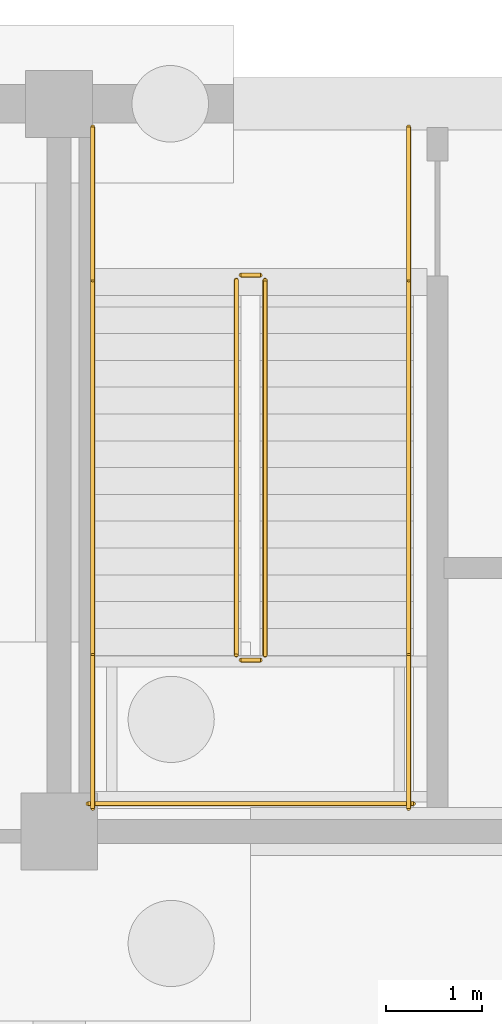
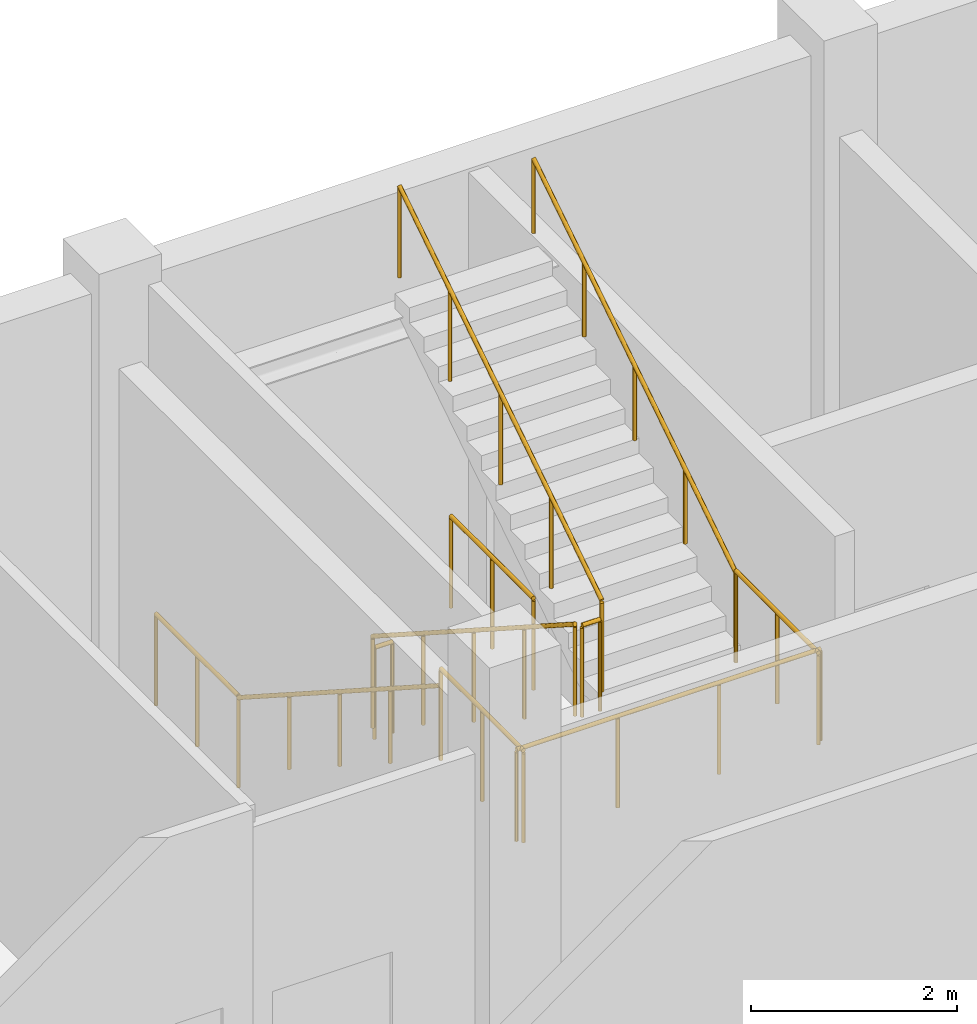
# One storey, part 44 of 44: 11 railings.
"""IFC4 building model written with IfcOpenShell, lengths in metres."""

from ifc_helpers import new_model, si_unit, direction, frame, origin, origin_2d, place, context, subcontext, project, spatial, circle, extrude, material, type_object, element, save


model = new_model("IFC4")

# Units and contexts
model_context = context("Model", 3, precision=1e-05, world=origin(), true_north=direction((0.0, 1.0)))
body_context = subcontext(model_context, "Body", "Model", "MODEL_VIEW")
ifc_project = project(units=[si_unit("LENGTHUNIT", "METRE"), si_unit("AREAUNIT", "SQUARE_METRE"), si_unit("VOLUMEUNIT", "CUBIC_METRE"), si_unit("PLANEANGLEUNIT", "RADIAN"), si_unit("MASSUNIT", "GRAM", prefix="KILO")], contexts=[model_context])

# Site, building, storey
site_placement = place(None, origin())
site = spatial("IfcSite", under=ifc_project, at=site_placement, CompositionType="ELEMENT")
building_placement = place(site_placement, origin())
building = spatial("IfcBuilding", under=site, at=building_placement, Name="Khelvaren Railside Concert Hall", CompositionType="ELEMENT")
storey_placement = place(building_placement, frame((0.0, 0.0, -5.39990234375)))
storey = spatial("IfcBuildingStorey", under=building, at=storey_placement, Name="B1", CompositionType="ELEMENT", Elevation=-5.39990234375)

# Railings
ifc_material_1 = material(Name="Painted architectural steel", Category="steel")
railing_type_1 = type_object("IfcRailingType", Name="GRD86", PredefinedType="GUARDRAIL", material=ifc_material_1)
railing_1_placement = place(storey_placement, frame((169.85009765625, 112.159912109375, 0.179931640625)))
element("IfcRailing", 1, at=railing_1_placement, inside=storey, type_object=railing_type_1, Name="B1 ST-10 stair guard 1", PredefinedType="GUARDRAIL", context=body_context, shape_type="SweptSolid", body=[
    extrude(circle(Radius=0.02392578125, at=origin_2d()), frame((0.0, 0.0, 1.076171875), z_axis=(0.0, -0.841171666519, 0.540768182723), x_axis=(1.0, 0.0, 0.0)), (0.0, 0.0, 1.0), 4.66015625),
    extrude(circle(Radius=0.02099609375, at=origin_2d()), origin(), (0.0, 0.0, 1.0), 1.052001953125),
    extrude(circle(Radius=0.02099609375, at=origin_2d()), frame((0.0, -0.97998046875, 0.6298828125)), (0.0, 0.0, 1.0), 1.052001953125),
    extrude(circle(Radius=0.02099609375, at=origin_2d()), frame((0.0, -1.9599609375, 1.260009765625)), (0.0, 0.0, 1.0), 1.052001953125),
    extrude(circle(Radius=0.02099609375, at=origin_2d()), frame((0.0, -2.93994140625, 1.89013671875)), (0.0, 0.0, 1.0), 1.052001953125),
    extrude(circle(Radius=0.02099609375, at=origin_2d()), frame((0.0, -3.919921875, 2.52001953125)), (0.0, 0.0, 1.0), 1.052001953125),
])
railing_2_placement = place(storey_placement, frame((169.89990234375, 108.18994140625, 2.699951171875)))
element("IfcRailing", 2, at=railing_2_placement, inside=storey, type_object=railing_type_1, Name="B1 ST-10 stair guard 2", PredefinedType="GUARDRAIL", context=body_context, shape_type="SweptSolid", body=[
    extrude(circle(Radius=0.02392578125, at=origin_2d()), frame((0.0, 0.0, 1.076171875), z_axis=(1.0, 0.0, 0.0), x_axis=(0.0, 1.0, 0.0)), (0.0, 0.0, 1.0), 0.2001953125),
    extrude(circle(Radius=0.02099609375, at=origin_2d()), origin(), (0.0, 0.0, 1.0), 1.052001953125),
    extrude(circle(Radius=0.02099609375, at=origin_2d()), frame((0.2001953125, 0.0, 0.0)), (0.0, 0.0, 1.0), 1.052001953125),
])
for number, where, name in (
    (3, (168.35009765625, 108.239990234375, 2.699951171875), "B1 ST-10 stair guard 3"),
    (4, (171.64990234375, 108.239990234375, 2.699951171875), "B1 ST-10 stair guard 4"),
):
    element("IfcRailing", number, at=place(storey_placement, frame(where)), inside=storey, type_object=railing_type_1, Name=name, PredefinedType="GUARDRAIL", context=body_context, shape_type="SweptSolid", body=[
        extrude(circle(Radius=0.02392578125, at=origin_2d()), frame((0.0, 0.0, 1.076171875), z_axis=(0.0, -1.0, 0.0), x_axis=(1.0, 0.0, 0.0)), (0.0, 0.0, 1.0), 1.60009765625),
        extrude(circle(Radius=0.02099609375, at=origin_2d()), origin(), (0.0, 0.0, 1.0), 1.052001953125),
        extrude(circle(Radius=0.02099609375, at=origin_2d()), frame((0.0, -0.800048828125, 0.0)), (0.0, 0.0, 1.0), 1.052001953125),
        extrude(circle(Radius=0.02099609375, at=origin_2d()), frame((0.0, -1.60009765625, 0.0)), (0.0, 0.0, 1.0), 1.052001953125),
    ])
railing_3_placement = place(storey_placement, frame((168.300048828125, 106.68994140625, 2.699951171875)))
element("IfcRailing", 5, at=railing_3_placement, inside=storey, type_object=railing_type_1, Name="B1 ST-10 stair guard 5", PredefinedType="GUARDRAIL", context=body_context, shape_type="SweptSolid", body=[
    extrude(circle(Radius=0.02392578125, at=origin_2d()), frame((0.0, 0.0, 1.076171875), z_axis=(1.0, 0.0, 0.0), x_axis=(0.0, 1.0, 0.0)), (0.0, 0.0, 1.0), 3.39990234375),
    extrude(circle(Radius=0.02099609375, at=origin_2d()), origin(), (0.0, 0.0, 1.0), 1.052001953125),
    extrude(circle(Radius=0.02099609375, at=origin_2d()), frame((1.13330078125, 0.0, 0.0)), (0.0, 0.0, 1.0), 1.052001953125),
    extrude(circle(Radius=0.02099609375, at=origin_2d()), frame((2.2666015625, 0.0, 0.0)), (0.0, 0.0, 1.0), 1.052001953125),
    extrude(circle(Radius=0.02099609375, at=origin_2d()), frame((3.39990234375, 0.0, 0.0)), (0.0, 0.0, 1.0), 1.052001953125),
])
railing_4_placement = place(storey_placement, frame((170.14990234375, 108.239990234375, 2.8798828125)))
element("IfcRailing", 6, at=railing_4_placement, inside=storey, type_object=railing_type_1, Name="B1 ST-10 stair guard 6", PredefinedType="GUARDRAIL", context=body_context, shape_type="SweptSolid", body=[
    extrude(circle(Radius=0.02392578125, at=origin_2d()), frame((0.0, 0.0, 1.076171875), z_axis=(0.0, 0.841171666519, 0.540768182723), x_axis=(-1.0, 0.0, 0.0)), (0.0, 0.0, 1.0), 4.66015625),
    extrude(circle(Radius=0.02099609375, at=origin_2d()), origin(), (0.0, 0.0, 1.0), 1.052001953125),
    extrude(circle(Radius=0.02099609375, at=origin_2d()), frame((0.0, 0.97998046875, 0.6298828125)), (0.0, 0.0, 1.0), 1.052001953125),
    extrude(circle(Radius=0.02099609375, at=origin_2d()), frame((0.0, 1.9599609375, 1.260009765625)), (0.0, 0.0, 1.0), 1.052001953125),
    extrude(circle(Radius=0.02099609375, at=origin_2d()), frame((0.0, 2.93994140625, 1.89013671875)), (0.0, 0.0, 1.0), 1.052001953125),
    extrude(circle(Radius=0.02099609375, at=origin_2d()), frame((0.0, 3.919921875, 2.52001953125)), (0.0, 0.0, 1.0), 1.052001953125),
])
railing_5_placement = place(storey_placement, frame((169.89990234375, 112.2099609375, 0.0)))
element("IfcRailing", 7, at=railing_5_placement, inside=storey, type_object=railing_type_1, Name="B1 ST-10 stair guard 7", PredefinedType="GUARDRAIL", context=body_context, shape_type="SweptSolid", body=[
    extrude(circle(Radius=0.02392578125, at=origin_2d()), frame((0.0, 0.0, 1.076171875), z_axis=(1.0, 0.0, 0.0), x_axis=(0.0, 1.0, 0.0)), (0.0, 0.0, 1.0), 0.2001953125),
    extrude(circle(Radius=0.02099609375, at=origin_2d()), origin(), (0.0, 0.0, 1.0), 1.052001953125),
    extrude(circle(Radius=0.02099609375, at=origin_2d()), frame((0.2001953125, 0.0, 0.0)), (0.0, 0.0, 1.0), 1.052001953125),
])
for number, where, name in (
    (8, (168.35009765625, 113.760009765625, 0.0), "B1 ST-10 stair guard 8"),
    (9, (171.64990234375, 113.760009765625, 0.0), "B1 ST-10 stair guard 9"),
):
    element("IfcRailing", number, at=place(storey_placement, frame(where)), inside=storey, type_object=railing_type_1, Name=name, PredefinedType="GUARDRAIL", context=body_context, shape_type="SweptSolid", body=[
        extrude(circle(Radius=0.02392578125, at=origin_2d()), frame((0.0, 0.0, 1.076171875), z_axis=(0.0, -1.0, 0.0), x_axis=(1.0, 0.0, 0.0)), (0.0, 0.0, 1.0), 1.60009765625),
        extrude(circle(Radius=0.02099609375, at=origin_2d()), origin(), (0.0, 0.0, 1.0), 1.052001953125),
        extrude(circle(Radius=0.02099609375, at=origin_2d()), frame((0.0, -0.800048828125, 0.0)), (0.0, 0.0, 1.0), 1.052001953125),
        extrude(circle(Radius=0.02099609375, at=origin_2d()), frame((0.0, -1.60009765625, 0.0)), (0.0, 0.0, 1.0), 1.052001953125),
    ])
ifc_material_2 = material(Name="Brushed stainless steel Grade 316", Category="steel")
railing_type_2 = type_object("IfcRailingType", Name="HRL59", PredefinedType="HANDRAIL", material=ifc_material_2)
railing_6_placement = place(storey_placement, frame((168.35009765625, 112.159912109375, 0.179931640625)))
element("IfcRailing", 10, at=railing_6_placement, inside=storey, type_object=railing_type_2, Name="B1 ST-10 stair handrail 1", PredefinedType="HANDRAIL", context=body_context, shape_type="SweptSolid", body=[
    extrude(circle(Radius=0.02392578125, at=origin_2d()), frame((0.0, 0.0, 0.8759765625), z_axis=(0.0, -0.841171666519, 0.540768182723), x_axis=(1.0, 0.0, 0.0)), (0.0, 0.0, 1.0), 4.66015625),
    extrude(circle(Radius=0.02099609375, at=origin_2d()), origin(), (0.0, 0.0, 1.0), 0.851806640625),
    extrude(circle(Radius=0.02099609375, at=origin_2d()), frame((0.0, -0.97998046875, 0.6298828125)), (0.0, 0.0, 1.0), 0.851806640625),
    extrude(circle(Radius=0.02099609375, at=origin_2d()), frame((0.0, -1.9599609375, 1.260009765625)), (0.0, 0.0, 1.0), 0.851806640625),
    extrude(circle(Radius=0.02099609375, at=origin_2d()), frame((0.0, -2.93994140625, 1.89013671875)), (0.0, 0.0, 1.0), 0.851806640625),
    extrude(circle(Radius=0.02099609375, at=origin_2d()), frame((0.0, -3.919921875, 2.52001953125)), (0.0, 0.0, 1.0), 0.851806640625),
])
railing_7_placement = place(storey_placement, frame((171.64990234375, 108.239990234375, 2.8798828125)))
element("IfcRailing", 11, at=railing_7_placement, inside=storey, type_object=railing_type_2, Name="B1 ST-10 stair handrail 2", PredefinedType="HANDRAIL", context=body_context, shape_type="SweptSolid", body=[
    extrude(circle(Radius=0.02392578125, at=origin_2d()), frame((0.0, 0.0, 0.8759765625), z_axis=(0.0, 0.841171666519, 0.540768182723), x_axis=(-1.0, 0.0, 0.0)), (0.0, 0.0, 1.0), 4.66015625),
    extrude(circle(Radius=0.02099609375, at=origin_2d()), origin(), (0.0, 0.0, 1.0), 0.851806640625),
    extrude(circle(Radius=0.02099609375, at=origin_2d()), frame((0.0, 0.97998046875, 0.6298828125)), (0.0, 0.0, 1.0), 0.851806640625),
    extrude(circle(Radius=0.02099609375, at=origin_2d()), frame((0.0, 1.9599609375, 1.260009765625)), (0.0, 0.0, 1.0), 0.851806640625),
    extrude(circle(Radius=0.02099609375, at=origin_2d()), frame((0.0, 2.93994140625, 1.89013671875)), (0.0, 0.0, 1.0), 0.851806640625),
    extrude(circle(Radius=0.02099609375, at=origin_2d()), frame((0.0, 3.919921875, 2.52001953125)), (0.0, 0.0, 1.0), 0.851806640625),
])

save(model, "model.ifc")
